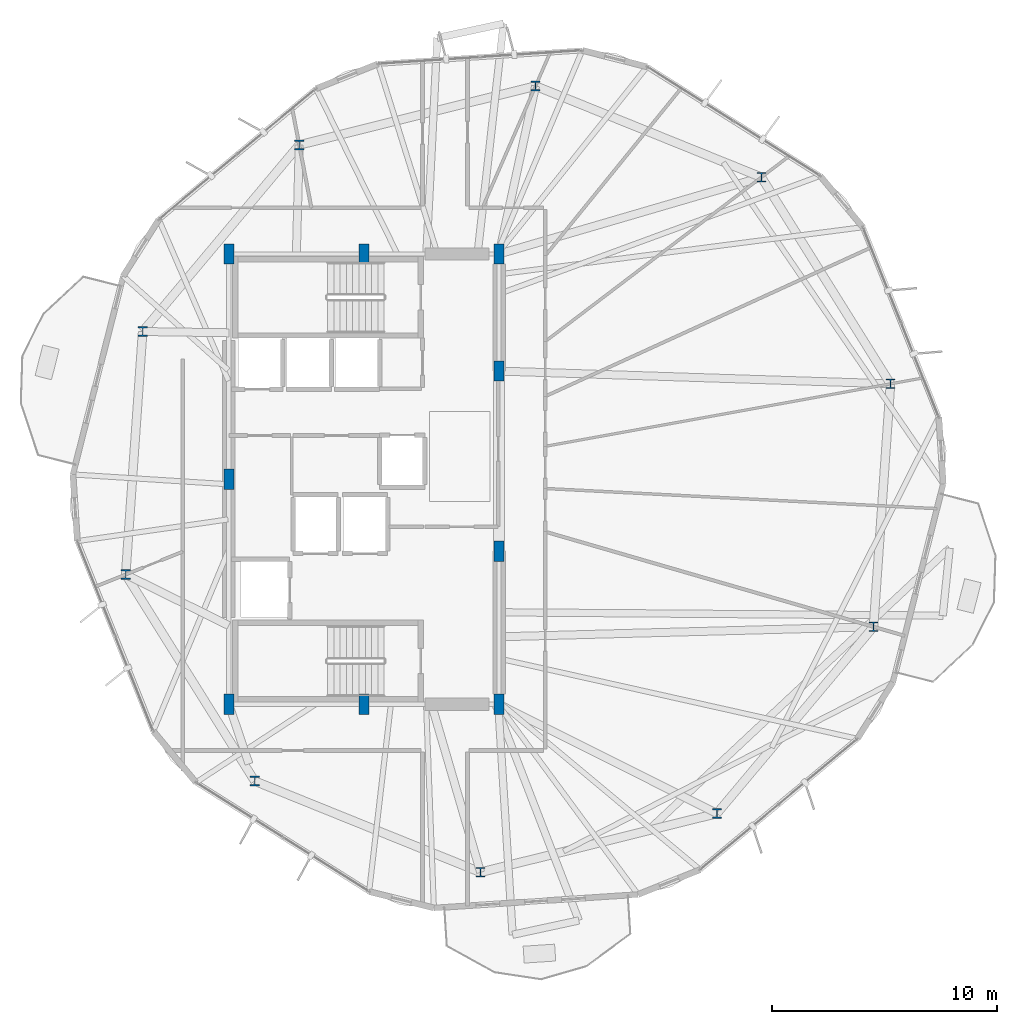
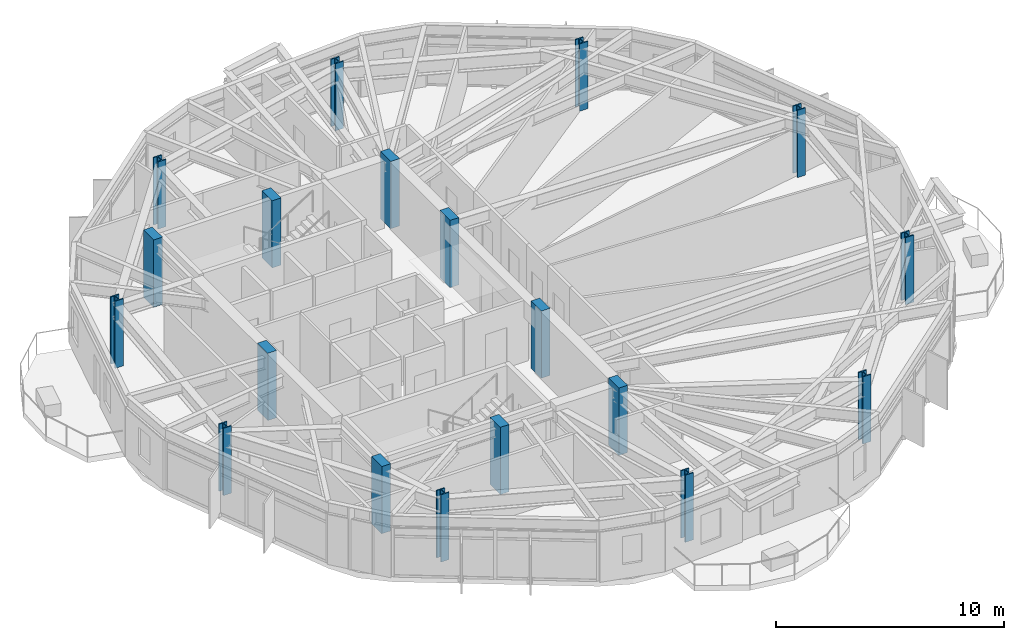
# One storey, part 1 of 24: 19 columns.
"""IFC4 building model written with IfcOpenShell, lengths in metres."""

from ifc_helpers import new_model, si_unit, direction, frame, origin, origin_2d, place, context, subcontext, project, spatial, rectangle, i_section, extrude, material, material_profile, profile_set, type_object, element, save


model = new_model("IFC4")

# Units and contexts
model_context = context("Model", 3, precision=1e-05, world=origin(), true_north=direction((0.0, 1.0)))
body_context = subcontext(model_context, "Body", "Model", "MODEL_VIEW")
ifc_project = project(units=[si_unit("LENGTHUNIT", "METRE"), si_unit("AREAUNIT", "SQUARE_METRE"), si_unit("VOLUMEUNIT", "CUBIC_METRE"), si_unit("PLANEANGLEUNIT", "RADIAN"), si_unit("MASSUNIT", "GRAM", prefix="KILO")], contexts=[model_context])

# Site, building, storey
site_placement = place(None, origin())
site = spatial("IfcSite", under=ifc_project, at=site_placement, CompositionType="ELEMENT")
building_placement = place(site_placement, origin())
building = spatial("IfcBuilding", under=site, at=building_placement, Name="Soratama Intermodal Tower", CompositionType="ELEMENT")
storey_placement = place(building_placement, frame((0.0, 0.0, 178.60009765625)))
storey = spatial("IfcBuildingStorey", under=building, at=storey_placement, Name="L44", CompositionType="ELEMENT", Elevation=178.60009765625)

# Columns
ifc_material_1 = material(Name="Structural steel ASTM A992 Grade 50", Category="steel")
ifc_material_profile_1 = material_profile(ifc_material_1, i_section(OverallWidth=0.412109375, OverallDepth=0.43505859375, WebThickness=0.035888671875, FlangeThickness=0.057373046875, FilletRadius=0.0380859375, at=origin_2d()), Name="W14X311")
ifc_profile_set_1 = profile_set([ifc_material_profile_1], Name="Structural steel ASTM A992 Grade 50")
column_type_1 = type_object("IfcColumnType", Name="COL-ZC-W14X311", PredefinedType="COLUMN", material=ifc_profile_set_1)
for number, where, z_axis, x_axis, name in (
    (1, (61.980224609375, 29.233642578125, 0.0), (0.0, 0.0, 1.0), (1.0, 0.0, 0.0), "L44 Tower Ring Column R01"),
    (2, (56.248779296875, 38.40576171875, 0.0), (0.0, 0.0, 1.0), (1.0, 0.0, 0.0), "L44 Tower Ring Column R02"),
    (3, (46.220703125, 42.45751953125, 0.0), (0.0, 0.0, 1.0), (1.0, 0.0, 0.0), "L44 Tower Ring Column R03"),
    (4, (35.726318359375, 39.8408203125, 0.0), (0.0, 0.0, 1.0), (1.0, 0.0, 0.0), "L44 Tower Ring Column R04"),
    (5, (28.7744140625, 31.5556640625, 0.0), (0.0, 0.0, 1.0), (1.0, 0.0, 0.0), "L44 Tower Ring Column R05"),
    (6, (28.019775390625, 20.766357421875, 0.0), (0.0, 0.0, 1.0), (1.0, 0.0, 0.0), "L44 Tower Ring Column R06"),
    (7, (33.751220703125, 11.59423828125, 0.0), (0.0, 0.0, 1.0), (1.0, 0.0, 0.0), "L44 Tower Ring Column R07"),
    (8, (43.779296875, 7.54248046875, 0.0), (0.0, 0.0, 1.0), (1.0, 0.0, 0.0), "L44 Tower Ring Column R08"),
    (9, (54.273681640625, 10.1591796875, 0.0), (0.0, 0.0, 1.0), (1.0, 0.0, 0.0), "L44 Tower Ring Column R09"),
    (10, (61.2255859375, 18.4443359375, 0.0), (0.0, 0.0, 1.0), (1.0, 0.0, 0.0), "L44 Tower Ring Column R10"),
):
    element("IfcColumn", number, at=place(storey_placement, frame(where, z_axis=z_axis, x_axis=x_axis)), inside=storey, type_object=column_type_1, Name=name, PredefinedType="COLUMN", context=body_context, shape_type="SweptSolid", body=[
        extrude(i_section(OverallWidth=0.412109375, OverallDepth=0.43505859375, WebThickness=0.035888671875, FlangeThickness=0.057373046875, FilletRadius=0.0380859375, at=origin_2d()), origin(), (0.0, 0.0, 1.0), 3.599853515625),
    ])
ifc_material_2 = material(Name="Concrete f'c 56 MPa", Category="concrete")
ifc_material_profile_2 = material_profile(ifc_material_2, rectangle(XDim=0.449951171875, YDim=0.89990234375, at=origin_2d()), Name="RC450X900")
ifc_profile_set_2 = profile_set([ifc_material_profile_2], Name="Concrete f'c 56 MPa")
column_type_2 = type_object("IfcColumnType", Name="PIL-CORE-450X900", PredefinedType="PILASTER", material=ifc_profile_set_2)
for number, where, z_axis, x_axis, name in (
    (11, (32.60009765625, 15.0, 0.0), (0.0, 0.0, 1.0), (1.0, 0.0, 0.0), "L44 Core Pilaster 1"),
    (12, (32.60009765625, 25.0, 0.0), (0.0, 0.0, 1.0), (1.0, 0.0, 0.0), "L44 Core Pilaster 2"),
    (13, (32.60009765625, 35.0, 0.0), (0.0, 0.0, 1.0), (1.0, 0.0, 0.0), "L44 Core Pilaster 3"),
    (14, (38.60009765625, 15.0, 0.0), (0.0, 0.0, 1.0), (1.0, 0.0, 0.0), "L44 Core Pilaster 4"),
    (15, (38.60009765625, 35.0, 0.0), (0.0, 0.0, 1.0), (1.0, 0.0, 0.0), "L44 Core Pilaster 5"),
    (16, (44.60009765625, 15.0, 0.0), (0.0, 0.0, 1.0), (1.0, 0.0, 0.0), "L44 Core Pilaster 6"),
    (17, (44.60009765625, 21.800048828125, 0.0), (0.0, 0.0, 1.0), (1.0, 0.0, 0.0), "L44 Core Pilaster 7"),
    (18, (44.60009765625, 29.800048828125, 0.0), (0.0, 0.0, 1.0), (1.0, 0.0, 0.0), "L44 Core Pilaster 8"),
    (19, (44.60009765625, 35.0, 0.0), (0.0, 0.0, 1.0), (1.0, 0.0, 0.0), "L44 Core Pilaster 9"),
):
    element("IfcColumn", number, at=place(storey_placement, frame(where, z_axis=z_axis, x_axis=x_axis)), inside=storey, type_object=column_type_2, Name=name, PredefinedType="PILASTER", context=body_context, shape_type="SweptSolid", body=[
        extrude(rectangle(XDim=0.449951171875, YDim=0.89990234375, at=origin_2d()), origin(), (0.0, 0.0, 1.0), 3.599853515625),
    ])

save(model, "model.ifc")
